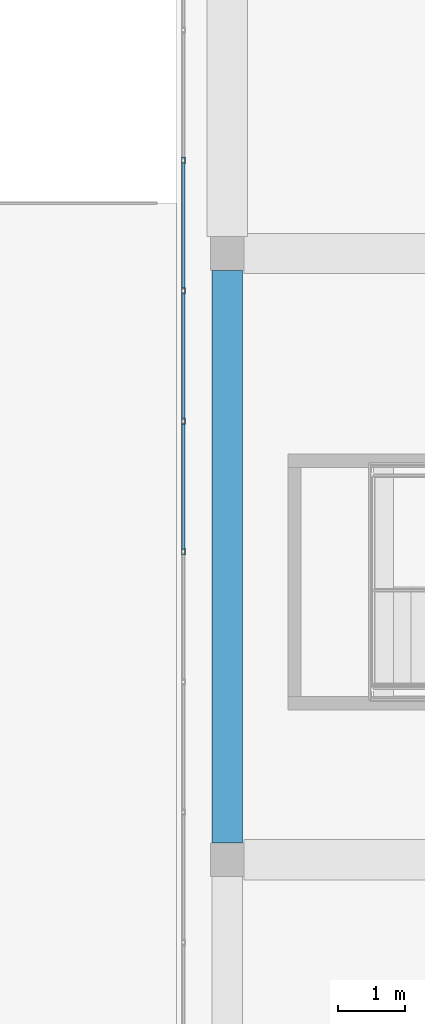
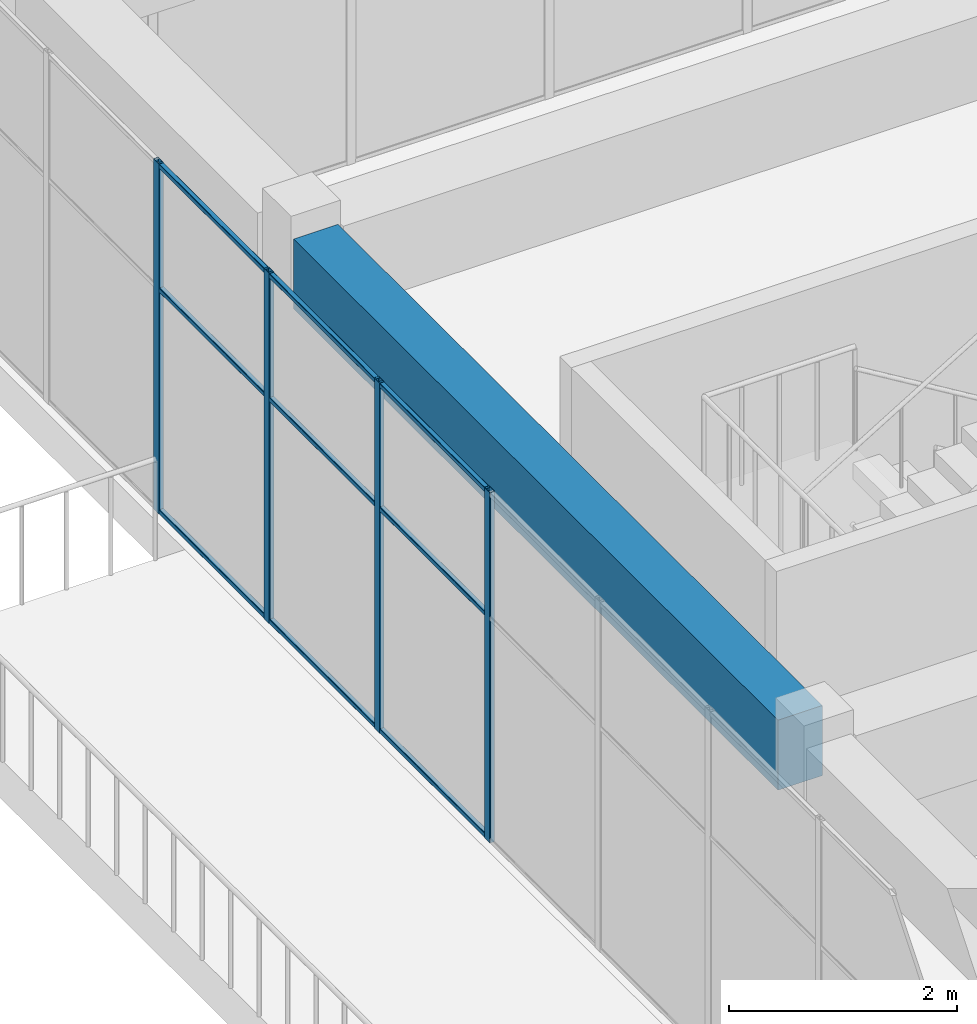
# One storey, part 19 of 34: 13 members, 1 beam, 1 element without a shape of its own.
"""IFC4 building model written with IfcOpenShell, lengths in metres."""

from ifc_helpers import new_model, si_unit, direction, frame, origin, origin_2d, place, context, subcontext, project, spatial, rectangle, hollow_rectangle, extrude, material, layer, layer_set, material_profile, profile_set, type_object, element, aggregate, save


model = new_model("IFC4")

# Units and contexts
model_context = context("Model", 3, precision=1e-05, world=origin(), true_north=direction((0.0, 1.0)))
body_context = subcontext(model_context, "Body", "Model", "MODEL_VIEW")
ifc_project = project(units=[si_unit("LENGTHUNIT", "METRE"), si_unit("AREAUNIT", "SQUARE_METRE"), si_unit("VOLUMEUNIT", "CUBIC_METRE"), si_unit("PLANEANGLEUNIT", "RADIAN"), si_unit("MASSUNIT", "GRAM", prefix="KILO")], contexts=[model_context])

# Site, building, storey
site_placement = place(None, origin())
site = spatial("IfcSite", under=ifc_project, at=site_placement, CompositionType="ELEMENT")
building_placement = place(site_placement, origin())
building = spatial("IfcBuilding", under=site, at=building_placement, Name="Tuart Plaza Theatre", CompositionType="ELEMENT")
storey_placement = place(building_placement, frame((0.0, 0.0, 53.5)))
storey = spatial("IfcBuildingStorey", under=building, at=storey_placement, Name="L13", CompositionType="ELEMENT", Elevation=53.5)

# Beam
ifc_material_1 = material(Name="Concrete N40 (40 MPa)", Category="concrete")
ifc_material_profile_1 = material_profile(ifc_material_1, rectangle(XDim=0.449951171875, YDim=0.75, at=origin_2d()), Name="BEAM 450x750 Concrete N40 (40 MPa)")
ifc_profile_set_1 = profile_set([ifc_material_profile_1], Name="Concrete N40 (40 MPa)")
beam_type = type_object("IfcBeamType", Name="BEAM 450x750 Concrete N40 (40 MPa)", PredefinedType="BEAM", material=ifc_profile_set_1)
beam_placement = place(storey_placement, frame((114.0, 83.25, 3.375), z_axis=(0.0, 1.0, 0.0), x_axis=(-1.0, 0.0, 0.0)))
element("IfcBeam", 1, at=beam_placement, inside=storey, type_object=beam_type, Name="RB322", PredefinedType="BEAM", context=body_context, shape_type="SweptSolid", body=[
    extrude(rectangle(XDim=0.449951171875, YDim=0.75, at=origin_2d()), origin(), (0.0, 0.0, 1.0), 8.5),
])

# Curtain wall, members
ifc_material_2 = material(Name="Aluminium and glass", Category="aluminium")
ifc_layer = layer(ifc_material_2, 0.10009765625)
ifc_layer_set = layer_set([ifc_layer], Name="CURTAIN WALL 2000 module")
curtain_wall_type = type_object("IfcCurtainWallType", Name="CURTAIN WALL 2000 module", PredefinedType="NOTDEFINED", material=ifc_layer_set)
curtain_wall_placement = place(storey_placement, origin())
curtain_wall = element("IfcCurtainWall", 2, at=curtain_wall_placement, inside=storey, type_object=curtain_wall_type, Name="CW118", PredefinedType="NOTDEFINED")
ifc_material_3 = material(Name="Aluminium 6063-T5", Category="aluminium")
ifc_material_profile_2 = material_profile(ifc_material_3, hollow_rectangle(XDim=0.050048828125, YDim=0.10009765625, WallThickness=0.00390625, InnerFilletRadius=0.00390625, OuterFilletRadius=0.008056640625, at=origin_2d()), Name="RHS 100x50x4")
ifc_profile_set_2 = profile_set([ifc_material_profile_2], Name="Aluminium 6063-T5")
member_type_1 = type_object("IfcMemberType", Name="MULLION RHS 100x50x4", PredefinedType="MULLION", material=ifc_profile_set_2)
member_1_placement = place(storey_placement, frame((113.35009765625, 93.3798828125, 0.0), z_axis=(0.0, 0.0, 1.0), x_axis=(1.0, 0.0, 0.0)))
member_1 = element("IfcMember", 3, at=member_1_placement, type_object=member_type_1, Name="CW118 mullion 3", PredefinedType="MULLION", context=body_context, shape_type="SweptSolid", body=[
    extrude(hollow_rectangle(XDim=0.050048828125, YDim=0.10009765625, WallThickness=0.00390625, InnerFilletRadius=0.00390625, OuterFilletRadius=0.008056640625, at=origin_2d()), origin(), (0.0, 0.0, 1.0), 3.75),
])
member_2_placement = place(storey_placement, frame((113.35009765625, 91.445068359375, 0.0), z_axis=(0.0, 0.0, 1.0), x_axis=(1.0, 0.0, 0.0)))
member_2 = element("IfcMember", 4, at=member_2_placement, type_object=member_type_1, Name="CW118 mullion 4", PredefinedType="MULLION", context=body_context, shape_type="SweptSolid", body=[
    extrude(hollow_rectangle(XDim=0.050048828125, YDim=0.10009765625, WallThickness=0.00390625, InnerFilletRadius=0.00390625, OuterFilletRadius=0.008056640625, at=origin_2d()), origin(), (0.0, 0.0, 1.0), 3.75),
])
member_3_placement = place(storey_placement, frame((113.35009765625, 89.510009765625, 0.0), z_axis=(0.0, 0.0, 1.0), x_axis=(1.0, 0.0, 0.0)))
member_3 = element("IfcMember", 5, at=member_3_placement, type_object=member_type_1, Name="CW118 mullion 5", PredefinedType="MULLION", context=body_context, shape_type="SweptSolid", body=[
    extrude(hollow_rectangle(XDim=0.050048828125, YDim=0.10009765625, WallThickness=0.00390625, InnerFilletRadius=0.00390625, OuterFilletRadius=0.008056640625, at=origin_2d()), origin(), (0.0, 0.0, 1.0), 3.75),
])
member_4_placement = place(storey_placement, frame((113.35009765625, 87.574951171875, 0.0), z_axis=(0.0, 0.0, 1.0), x_axis=(1.0, 0.0, 0.0)))
member_4 = element("IfcMember", 6, at=member_4_placement, type_object=member_type_1, Name="CW118 mullion 6", PredefinedType="MULLION", context=body_context, shape_type="SweptSolid", body=[
    extrude(hollow_rectangle(XDim=0.050048828125, YDim=0.10009765625, WallThickness=0.00390625, InnerFilletRadius=0.00390625, OuterFilletRadius=0.008056640625, at=origin_2d()), origin(), (0.0, 0.0, 1.0), 3.75),
])
ifc_material_4 = material(Name="Aluminium 6063-T5", Category="aluminium")
ifc_material_profile_3 = material_profile(ifc_material_4, hollow_rectangle(XDim=0.050048828125, YDim=0.050048828125, WallThickness=0.00390625, InnerFilletRadius=0.00390625, OuterFilletRadius=0.008056640625, at=origin_2d()), Name="RHS 50x50x4")
ifc_profile_set_3 = profile_set([ifc_material_profile_3], Name="Aluminium 6063-T5")
member_type_2 = type_object("IfcMemberType", Name="TRANSOM RHS 50x50x4", PredefinedType="USERDEFINED", material=ifc_profile_set_3)
member_5_placement = place(storey_placement, frame((113.35009765625, 93.35498046875, 0.02490234375), z_axis=(0.0, -1.0, 0.0), x_axis=(1.0, 0.0, 0.0)))
member_5 = element("IfcMember", 7, at=member_5_placement, type_object=member_type_2, Name="CW118 transom 3.1", ObjectType="TRANSOM", PredefinedType="USERDEFINED", context=body_context, shape_type="SweptSolid", body=[
    extrude(hollow_rectangle(XDim=0.050048828125, YDim=0.050048828125, WallThickness=0.00390625, InnerFilletRadius=0.00390625, OuterFilletRadius=0.008056640625, at=origin_2d()), origin(), (0.0, 0.0, 1.0), 1.885009765625),
])
member_6_placement = place(storey_placement, frame((113.35009765625, 93.35498046875, 2.39990234375), z_axis=(0.0, -1.0, 0.0), x_axis=(1.0, 0.0, 0.0)))
member_6 = element("IfcMember", 8, at=member_6_placement, type_object=member_type_2, Name="CW118 transom 3.2", ObjectType="TRANSOM", PredefinedType="USERDEFINED", context=body_context, shape_type="SweptSolid", body=[
    extrude(hollow_rectangle(XDim=0.050048828125, YDim=0.050048828125, WallThickness=0.00390625, InnerFilletRadius=0.00390625, OuterFilletRadius=0.008056640625, at=origin_2d()), origin(), (0.0, 0.0, 1.0), 1.885009765625),
])
member_7_placement = place(storey_placement, frame((113.35009765625, 93.35498046875, 3.72509765625), z_axis=(0.0, -1.0, 0.0), x_axis=(1.0, 0.0, 0.0)))
member_7 = element("IfcMember", 9, at=member_7_placement, type_object=member_type_2, Name="CW118 transom 3.3", ObjectType="TRANSOM", PredefinedType="USERDEFINED", context=body_context, shape_type="SweptSolid", body=[
    extrude(hollow_rectangle(XDim=0.050048828125, YDim=0.050048828125, WallThickness=0.00390625, InnerFilletRadius=0.00390625, OuterFilletRadius=0.008056640625, at=origin_2d()), origin(), (0.0, 0.0, 1.0), 1.885009765625),
])
member_8_placement = place(storey_placement, frame((113.35009765625, 91.419921875, 0.02490234375), z_axis=(0.0, -1.0, 0.0), x_axis=(1.0, 0.0, 0.0)))
member_8 = element("IfcMember", 10, at=member_8_placement, type_object=member_type_2, Name="CW118 transom 4.1", ObjectType="TRANSOM", PredefinedType="USERDEFINED", context=body_context, shape_type="SweptSolid", body=[
    extrude(hollow_rectangle(XDim=0.050048828125, YDim=0.050048828125, WallThickness=0.00390625, InnerFilletRadius=0.00390625, OuterFilletRadius=0.008056640625, at=origin_2d()), origin(), (0.0, 0.0, 1.0), 1.885009765625),
])
member_9_placement = place(storey_placement, frame((113.35009765625, 91.419921875, 2.39990234375), z_axis=(0.0, -1.0, 0.0), x_axis=(1.0, 0.0, 0.0)))
member_9 = element("IfcMember", 11, at=member_9_placement, type_object=member_type_2, Name="CW118 transom 4.2", ObjectType="TRANSOM", PredefinedType="USERDEFINED", context=body_context, shape_type="SweptSolid", body=[
    extrude(hollow_rectangle(XDim=0.050048828125, YDim=0.050048828125, WallThickness=0.00390625, InnerFilletRadius=0.00390625, OuterFilletRadius=0.008056640625, at=origin_2d()), origin(), (0.0, 0.0, 1.0), 1.885009765625),
])
member_10_placement = place(storey_placement, frame((113.35009765625, 91.419921875, 3.72509765625), z_axis=(0.0, -1.0, 0.0), x_axis=(1.0, 0.0, 0.0)))
member_10 = element("IfcMember", 12, at=member_10_placement, type_object=member_type_2, Name="CW118 transom 4.3", ObjectType="TRANSOM", PredefinedType="USERDEFINED", context=body_context, shape_type="SweptSolid", body=[
    extrude(hollow_rectangle(XDim=0.050048828125, YDim=0.050048828125, WallThickness=0.00390625, InnerFilletRadius=0.00390625, OuterFilletRadius=0.008056640625, at=origin_2d()), origin(), (0.0, 0.0, 1.0), 1.885009765625),
])
member_11_placement = place(storey_placement, frame((113.35009765625, 89.485107421875, 0.02490234375), z_axis=(0.0, -1.0, 0.0), x_axis=(1.0, 0.0, 0.0)))
member_11 = element("IfcMember", 13, at=member_11_placement, type_object=member_type_2, Name="CW118 transom 5.1", ObjectType="TRANSOM", PredefinedType="USERDEFINED", context=body_context, shape_type="SweptSolid", body=[
    extrude(hollow_rectangle(XDim=0.050048828125, YDim=0.050048828125, WallThickness=0.00390625, InnerFilletRadius=0.00390625, OuterFilletRadius=0.008056640625, at=origin_2d()), origin(), (0.0, 0.0, 1.0), 1.885009765625),
])
member_12_placement = place(storey_placement, frame((113.35009765625, 89.485107421875, 2.39990234375), z_axis=(0.0, -1.0, 0.0), x_axis=(1.0, 0.0, 0.0)))
member_12 = element("IfcMember", 14, at=member_12_placement, type_object=member_type_2, Name="CW118 transom 5.2", ObjectType="TRANSOM", PredefinedType="USERDEFINED", context=body_context, shape_type="SweptSolid", body=[
    extrude(hollow_rectangle(XDim=0.050048828125, YDim=0.050048828125, WallThickness=0.00390625, InnerFilletRadius=0.00390625, OuterFilletRadius=0.008056640625, at=origin_2d()), origin(), (0.0, 0.0, 1.0), 1.885009765625),
])
member_13_placement = place(storey_placement, frame((113.35009765625, 89.485107421875, 3.72509765625), z_axis=(0.0, -1.0, 0.0), x_axis=(1.0, 0.0, 0.0)))
member_13 = element("IfcMember", 15, at=member_13_placement, type_object=member_type_2, Name="CW118 transom 5.3", ObjectType="TRANSOM", PredefinedType="USERDEFINED", context=body_context, shape_type="SweptSolid", body=[
    extrude(hollow_rectangle(XDim=0.050048828125, YDim=0.050048828125, WallThickness=0.00390625, InnerFilletRadius=0.00390625, OuterFilletRadius=0.008056640625, at=origin_2d()), origin(), (0.0, 0.0, 1.0), 1.885009765625),
])
aggregate(curtain_wall, [member_1, member_2, member_3, member_4, member_5, member_6, member_7, member_8, member_9, member_10, member_11, member_12, member_13])

save(model, "model.ifc")
